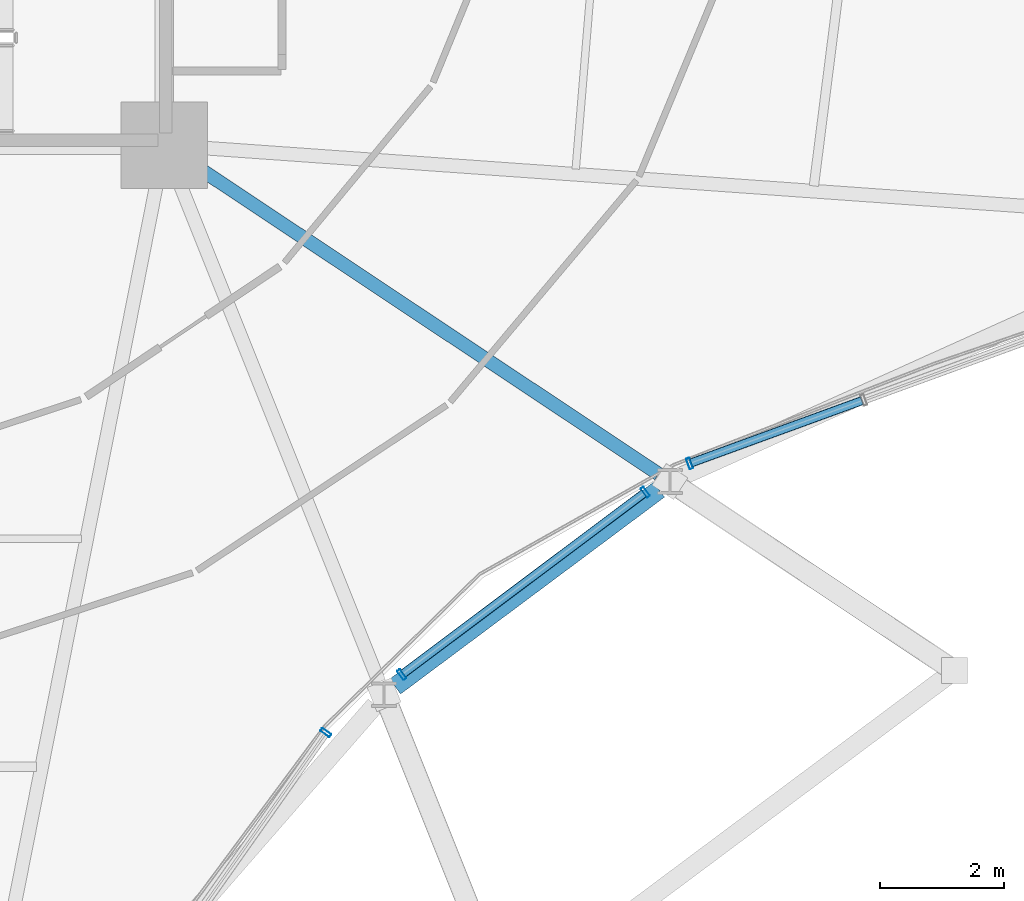
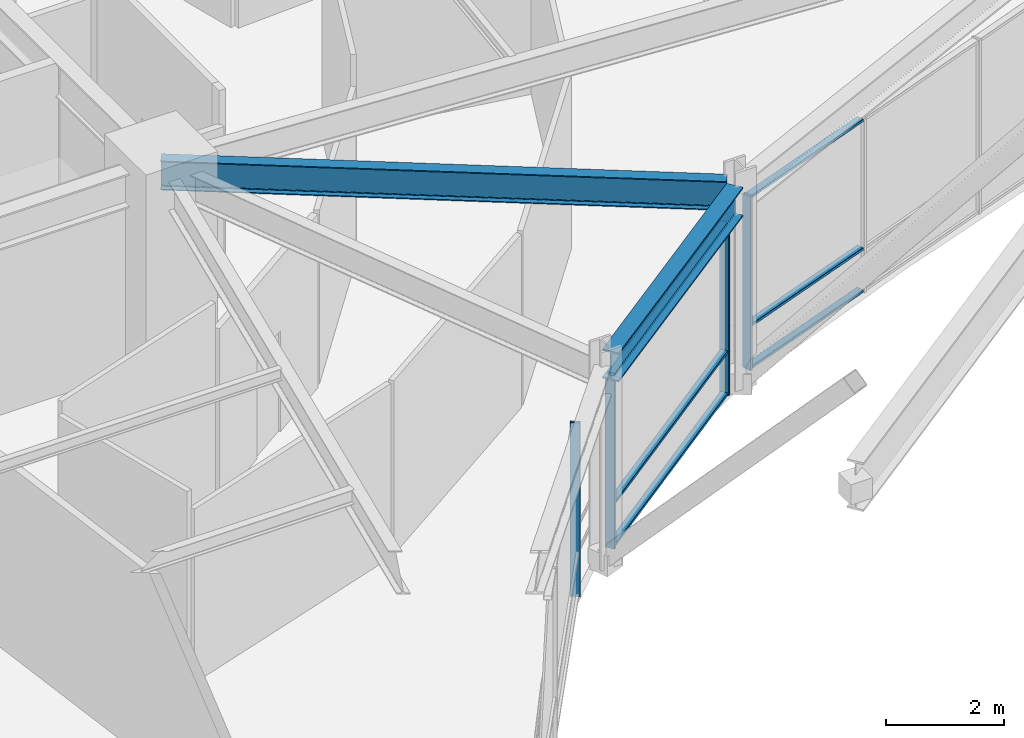
# One storey, part 22 of 55: 10 members, 2 beams, 3 elements without a shape of their own.
"""IFC4 building model written with IfcOpenShell, lengths in metres."""

from ifc_helpers import new_model, si_unit, direction, frame, origin, origin_2d, place, context, subcontext, project, spatial, hollow_rectangle, i_section, extrude, material, layer, layer_set, material_profile, profile_set, type_object, element, aggregate, save


model = new_model("IFC4")

# Units and contexts
model_context = context("Model", 3, precision=1e-05, world=origin(), true_north=direction((0.0, 1.0)))
body_context = subcontext(model_context, "Body", "Model", "MODEL_VIEW")
ifc_project = project(units=[si_unit("LENGTHUNIT", "METRE"), si_unit("AREAUNIT", "SQUARE_METRE"), si_unit("VOLUMEUNIT", "CUBIC_METRE"), si_unit("PLANEANGLEUNIT", "RADIAN"), si_unit("MASSUNIT", "GRAM", prefix="KILO")], contexts=[model_context])

# Site, building, storey
site_placement = place(None, origin())
site = spatial("IfcSite", under=ifc_project, at=site_placement, CompositionType="ELEMENT")
building_placement = place(site_placement, origin())
building = spatial("IfcBuilding", under=site, at=building_placement, Name="Kelanora Arch Commons", CompositionType="ELEMENT")
storey_placement = place(building_placement, frame((0.0, 0.0, 4.5)))
storey = spatial("IfcBuildingStorey", under=building, at=storey_placement, Name="L01", CompositionType="ELEMENT", Elevation=4.5)

# Beams
ifc_material_1 = material(Name="Steel S355", Category="steel")
ifc_material_profile_1 = material_profile(ifc_material_1, i_section(OverallWidth=0.219970703125, OverallDepth=0.60009765625, WebThickness=0.011962890625, FlangeThickness=0.01904296875, FilletRadius=0.02392578125, at=origin_2d()), Name="IPE600")
ifc_profile_set_1 = profile_set([ifc_material_profile_1], Name="Steel S355")
beam_type_1 = type_object("IfcBeamType", Name="BM-RAD-Z1", PredefinedType="BEAM", material=ifc_profile_set_1)
beam_1_placement = place(storey_placement, frame((82.0, 51.0, 3.89990234375), z_axis=(0.832598981909, -0.553876281605, 0.0), x_axis=(0.553876281605, 0.832598981909, 0.0)))
element("IfcBeam", 1, at=beam_1_placement, inside=storey, type_object=beam_type_1, Name="Radial Floor Girder BR-32 L01", PredefinedType="BEAM", context=body_context, shape_type="SweptSolid", body=[
    extrude(i_section(OverallWidth=0.219970703125, OverallDepth=0.60009765625, WebThickness=0.011962890625, FlangeThickness=0.01904296875, FilletRadius=0.02392578125, at=origin_2d()), origin(), (0.0, 0.0, 1.0), 9.576416015625),
])
ifc_material_profile_2 = material_profile(ifc_material_1, i_section(OverallWidth=0.300048828125, OverallDepth=0.60009765625, WebThickness=0.015380859375, FlangeThickness=0.030029296875, FilletRadius=0.027099609375, at=origin_2d()), Name="HEB600")
ifc_profile_set_2 = profile_set([ifc_material_profile_2], Name="Steel S355")
beam_type_2 = type_object("IfcBeamType", Name="BM-SPN-Z1", PredefinedType="SPANDREL", material=ifc_profile_set_2)
beam_2_placement = place(storey_placement, frame((85.721923828125, 42.26513671875, 3.89990234375), z_axis=(0.801486366257, 0.598013047269, 0.0), x_axis=(-0.598013047269, 0.801486366257, 0.0)))
element("IfcBeam", 2, at=beam_2_placement, inside=storey, type_object=beam_type_2, Name="Perimeter Spandrel Beam BS-30 L01", PredefinedType="SPANDREL", context=body_context, shape_type="SweptSolid", body=[
    extrude(i_section(OverallWidth=0.300048828125, OverallDepth=0.60009765625, WebThickness=0.015380859375, FlangeThickness=0.030029296875, FilletRadius=0.027099609375, at=origin_2d()), origin(), (0.0, 0.0, 1.0), 5.31298828125),
])

# Curtain wall, member
ifc_material_2 = material(Name="Terracotta ceramic-fritted low-E glass and aluminium", Category="masonry")
ifc_layer = layer(ifc_material_2, 0.2099609375)
ifc_layer_set = layer_set([ifc_layer], Name="Terracotta ceramic-fritted low-E glass and aluminium")
curtain_wall_type = type_object("IfcCurtainWallType", Name="CW-SYS-04", PredefinedType="NOTDEFINED", material=ifc_layer_set)
curtain_wall_1_placement = place(storey_placement, origin())
curtain_wall_1 = element("IfcCurtainWall", 3, at=curtain_wall_1_placement, inside=storey, type_object=curtain_wall_type, Name="Unitised Curtain Wall L01-B14", PredefinedType="NOTDEFINED")
ifc_material_3 = material(Name="Powder-coated aluminium terracotta", Category="masonry")
ifc_material_profile_3 = material_profile(ifc_material_3, hollow_rectangle(XDim=0.179931640625, YDim=0.06005859375, WallThickness=0.0048828125, InnerFilletRadius=0.0048828125, OuterFilletRadius=0.010009765625, at=origin_2d()), Name="CWM180x60")
ifc_profile_set_3 = profile_set([ifc_material_profile_3], Name="Powder-coated aluminium terracotta")
member_type_1 = type_object("IfcMemberType", Name="CWM-HVY", PredefinedType="MULLION", material=ifc_profile_set_3)
member_1_placement = place(storey_placement, frame((84.60498046875, 41.522705078125, 0.0), z_axis=(0.0, 0.0, 1.0), x_axis=(-0.817206133555, 0.576345499922, 0.0)))
member_1 = element("IfcMember", 4, at=member_1_placement, type_object=member_type_1, Name="CW-04 mullion 3", PredefinedType="MULLION", context=body_context, shape_type="SweptSolid", body=[
    extrude(hollow_rectangle(XDim=0.179931640625, YDim=0.06005859375, WallThickness=0.0048828125, InnerFilletRadius=0.0048828125, OuterFilletRadius=0.010009765625, at=origin_2d()), origin(), (0.0, 0.0, 1.0), 3.580078125),
])
aggregate(curtain_wall_1, [member_1])

# Curtain wall, members
curtain_wall_2_placement = place(storey_placement, origin())
curtain_wall_2 = element("IfcCurtainWall", 5, at=curtain_wall_2_placement, inside=storey, type_object=curtain_wall_type, Name="Unitised Curtain Wall L01-B15", PredefinedType="NOTDEFINED")
member_2_placement = place(storey_placement, frame((85.830810546875, 42.45849609375, 0.0), z_axis=(0.0, 0.0, 1.0), x_axis=(-0.599587813185, 0.80030897426, 0.0)))
member_2 = element("IfcMember", 6, at=member_2_placement, type_object=member_type_1, Name="CW-04 mullion 1", PredefinedType="MULLION", context=body_context, shape_type="SweptSolid", body=[
    extrude(hollow_rectangle(XDim=0.179931640625, YDim=0.06005859375, WallThickness=0.0048828125, InnerFilletRadius=0.0048828125, OuterFilletRadius=0.010009765625, at=origin_2d()), origin(), (0.0, 0.0, 1.0), 3.580078125),
])
member_3_placement = place(storey_placement, frame((89.760009765625, 45.402099609375, 0.0), z_axis=(0.0, 0.0, 1.0), x_axis=(-0.599587813185, 0.80030897426, 0.0)))
member_3 = element("IfcMember", 7, at=member_3_placement, type_object=member_type_1, Name="CW-04 mullion 2", PredefinedType="MULLION", context=body_context, shape_type="SweptSolid", body=[
    extrude(hollow_rectangle(XDim=0.179931640625, YDim=0.06005859375, WallThickness=0.0048828125, InnerFilletRadius=0.0048828125, OuterFilletRadius=0.010009765625, at=origin_2d()), origin(), (0.0, 0.0, 1.0), 3.580078125),
])

# Curtain wall, member
curtain_wall_3_placement = place(storey_placement, origin())
curtain_wall_3 = element("IfcCurtainWall", 8, at=curtain_wall_3_placement, inside=storey, type_object=curtain_wall_type, Name="Unitised Curtain Wall L01-B16", PredefinedType="NOTDEFINED")
member_4_placement = place(storey_placement, frame((90.473388671875, 45.865234375, 0.0), z_axis=(0.0, 0.0, 1.0), x_axis=(-0.342318215206, 0.939584077951, 0.0)))
member_4 = element("IfcMember", 9, at=member_4_placement, type_object=member_type_1, Name="CW-04 mullion 1", PredefinedType="MULLION", context=body_context, shape_type="SweptSolid", body=[
    extrude(hollow_rectangle(XDim=0.179931640625, YDim=0.06005859375, WallThickness=0.0048828125, InnerFilletRadius=0.0048828125, OuterFilletRadius=0.010009765625, at=origin_2d()), origin(), (0.0, 0.0, 1.0), 3.580078125),
])

# Member
ifc_material_profile_4 = material_profile(ifc_material_3, hollow_rectangle(XDim=0.139892578125, YDim=0.06005859375, WallThickness=0.0048828125, InnerFilletRadius=0.0048828125, OuterFilletRadius=0.010009765625, at=origin_2d()), Name="CWT140x60")
ifc_profile_set_4 = profile_set([ifc_material_profile_4], Name="Powder-coated aluminium terracotta")
member_type_2 = type_object("IfcMemberType", Name="CWT-HVY", PredefinedType="USERDEFINED", material=ifc_profile_set_4)
member_5_placement = place(storey_placement, frame((85.854736328125, 42.4765625, 0.030029296875), z_axis=(0.800307995736, 0.599589119281, 0.0), x_axis=(-0.599589119281, 0.800307995736, 0.0)))
member_5 = element("IfcMember", 10, at=member_5_placement, type_object=member_type_2, Name="CW-04 transom 1.1", ObjectType="TRANSOM", PredefinedType="USERDEFINED", context=body_context, shape_type="SweptSolid", body=[
    extrude(hollow_rectangle(XDim=0.139892578125, YDim=0.06005859375, WallThickness=0.0048828125, InnerFilletRadius=0.0048828125, OuterFilletRadius=0.010009765625, at=origin_2d()), origin(), (0.0, 0.0, 1.0), 4.849609375),
])

member_6_placement = place(storey_placement, frame((85.854736328125, 42.4765625, 0.89990234375), z_axis=(0.800307995736, 0.599589119281, 0.0), x_axis=(-0.599589119281, 0.800307995736, 0.0)))
member_6 = element("IfcMember", 11, at=member_6_placement, type_object=member_type_2, Name="CW-04 transom 1.2", ObjectType="TRANSOM", PredefinedType="USERDEFINED", context=body_context, shape_type="SweptSolid", body=[
    extrude(hollow_rectangle(XDim=0.139892578125, YDim=0.06005859375, WallThickness=0.0048828125, InnerFilletRadius=0.0048828125, OuterFilletRadius=0.010009765625, at=origin_2d()), origin(), (0.0, 0.0, 1.0), 4.849609375),
])

member_7_placement = place(storey_placement, frame((85.854736328125, 42.4765625, 3.550048828125), z_axis=(0.800307995736, 0.599589119281, 0.0), x_axis=(-0.599589119281, 0.800307995736, 0.0)))
member_7 = element("IfcMember", 12, at=member_7_placement, type_object=member_type_2, Name="CW-04 transom 1.3", ObjectType="TRANSOM", PredefinedType="USERDEFINED", context=body_context, shape_type="SweptSolid", body=[
    extrude(hollow_rectangle(XDim=0.139892578125, YDim=0.06005859375, WallThickness=0.0048828125, InnerFilletRadius=0.0048828125, OuterFilletRadius=0.010009765625, at=origin_2d()), origin(), (0.0, 0.0, 1.0), 4.849609375),
])

aggregate(curtain_wall_2, [member_2, member_3, member_5, member_6, member_7])

member_8_placement = place(storey_placement, frame((90.501708984375, 45.87548828125, 0.030029296875), z_axis=(0.939579128074, 0.342331801164, 0.0), x_axis=(-0.342331801164, 0.939579128074, 0.0)))
member_8 = element("IfcMember", 13, at=member_8_placement, type_object=member_type_2, Name="CW-04 transom 1.1", ObjectType="TRANSOM", PredefinedType="USERDEFINED", context=body_context, shape_type="SweptSolid", body=[
    extrude(hollow_rectangle(XDim=0.139892578125, YDim=0.06005859375, WallThickness=0.0048828125, InnerFilletRadius=0.0048828125, OuterFilletRadius=0.010009765625, at=origin_2d()), origin(), (0.0, 0.0, 1.0), 2.9296875),
])

member_9_placement = place(storey_placement, frame((90.501708984375, 45.87548828125, 0.89990234375), z_axis=(0.939579128074, 0.342331801164, 0.0), x_axis=(-0.342331801164, 0.939579128074, 0.0)))
member_9 = element("IfcMember", 14, at=member_9_placement, type_object=member_type_2, Name="CW-04 transom 1.2", ObjectType="TRANSOM", PredefinedType="USERDEFINED", context=body_context, shape_type="SweptSolid", body=[
    extrude(hollow_rectangle(XDim=0.139892578125, YDim=0.06005859375, WallThickness=0.0048828125, InnerFilletRadius=0.0048828125, OuterFilletRadius=0.010009765625, at=origin_2d()), origin(), (0.0, 0.0, 1.0), 2.9296875),
])

member_10_placement = place(storey_placement, frame((90.501708984375, 45.87548828125, 3.550048828125), z_axis=(0.939579128074, 0.342331801164, 0.0), x_axis=(-0.342331801164, 0.939579128074, 0.0)))
member_10 = element("IfcMember", 15, at=member_10_placement, type_object=member_type_2, Name="CW-04 transom 1.3", ObjectType="TRANSOM", PredefinedType="USERDEFINED", context=body_context, shape_type="SweptSolid", body=[
    extrude(hollow_rectangle(XDim=0.139892578125, YDim=0.06005859375, WallThickness=0.0048828125, InnerFilletRadius=0.0048828125, OuterFilletRadius=0.010009765625, at=origin_2d()), origin(), (0.0, 0.0, 1.0), 2.9296875),
])

aggregate(curtain_wall_3, [member_4, member_8, member_9, member_10])

save(model, "model.ifc")
